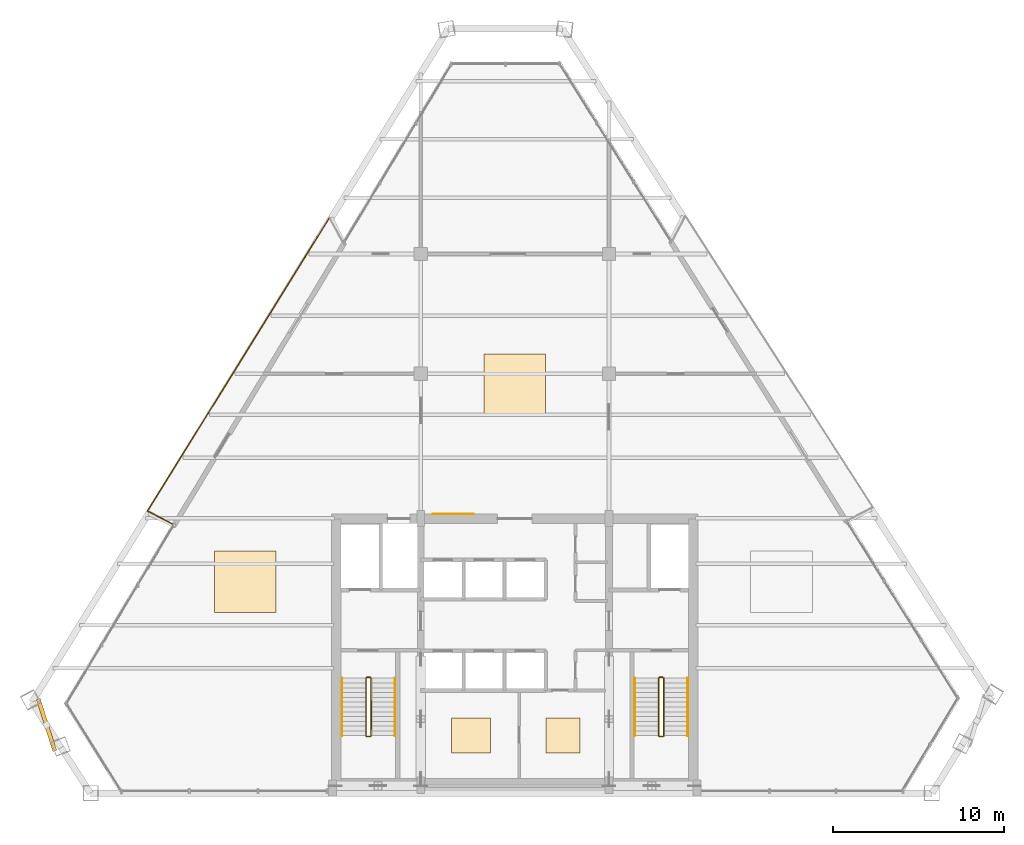
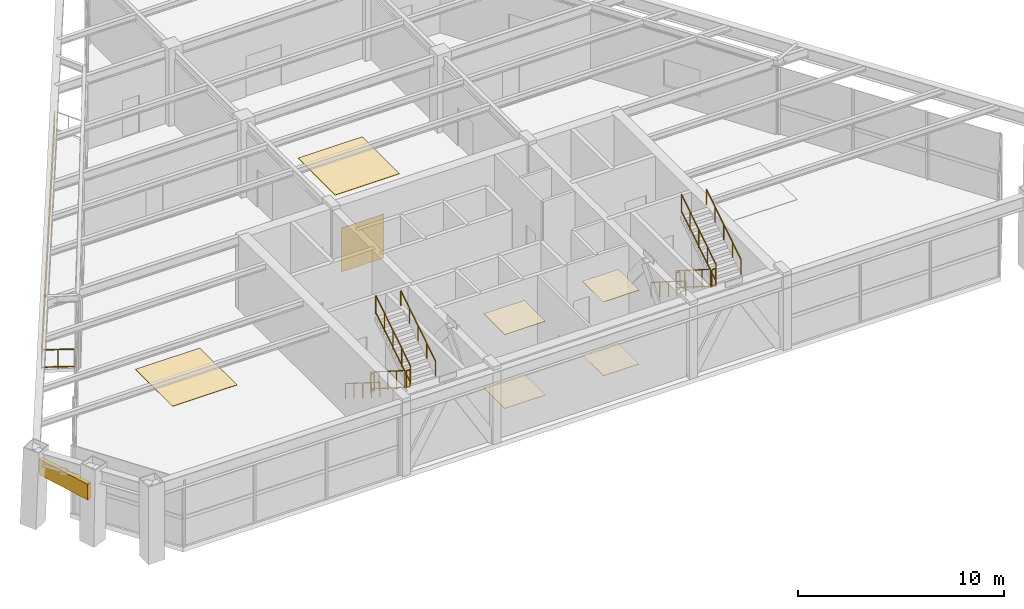
# One storey, part 10 of 11: 14 railings, 7 coverings, 1 shading device.
"""IFC4 building model written with IfcOpenShell, lengths in metres."""

from ifc_helpers import new_model, si_unit, direction, frame, origin, origin_2d, place, context, subcontext, project, spatial, rectangle, extrude, source, transform, mapped, material, layer, layer_set, type_object, type_shapes, element, save


model = new_model("IFC4")

# Units and contexts
model_context = context("Model", 3, precision=1e-05, world=origin(), true_north=direction((0.0, 1.0)))
body_context = subcontext(model_context, "Body", "Model", "MODEL_VIEW")
ifc_project = project(units=[si_unit("LENGTHUNIT", "METRE"), si_unit("AREAUNIT", "SQUARE_METRE"), si_unit("VOLUMEUNIT", "CUBIC_METRE"), si_unit("PLANEANGLEUNIT", "RADIAN"), si_unit("MASSUNIT", "GRAM", prefix="KILO")], contexts=[model_context])

# Site, building, storey
site_placement = place(None, origin())
site = spatial("IfcSite", under=ifc_project, at=site_placement, CompositionType="ELEMENT")
building_placement = place(site_placement, origin())
building = spatial("IfcBuilding", under=site, at=building_placement, Name="Varnakhor Terracotta Tower", CompositionType="ELEMENT")
storey_placement = place(building_placement, frame((0.0, 0.0, 215.39990234375)))
storey = spatial("IfcBuildingStorey", under=building, at=storey_placement, Name="L55", CompositionType="ELEMENT", Elevation=215.39990234375)

# Railings
ifc_material_1 = material(Name="Stainless Steel & Laminated Glass Guardrail", Category="steel")
railing_type_1 = type_object("IfcRailingType", Name="RLG-LOGGIA-GUARD-1150", PredefinedType="GUARDRAIL", material=ifc_material_1)
railing_1_placement = place(storey_placement, frame((-20.0224609375, 15.72802734375, 0.0)))
element("IfcRailing", 1, at=railing_1_placement, inside=storey, type_object=railing_type_1, Name="L55 W Loggia Glass Guard 1", PredefinedType="GUARDRAIL", context=body_context, shape_type="SweptSolid", body=[
    extrude(rectangle(XDim=0.048095703125, YDim=0.048095703125, at=origin_2d()), frame((0.0, 0.0, 1.1259765625), z_axis=(-0.886493924324, 0.462740231811, 0.0), x_axis=(-0.462740231811, -0.886493924324, 0.0)), (0.0, 0.0, 1.0), 1.628173828125),
    extrude(rectangle(XDim=0.048095703125, YDim=0.048095703125, at=origin_2d()), frame((0.0, 0.0, 0.10009765625), z_axis=(-0.886493924324, 0.462740231811, 0.0), x_axis=(-0.462740231811, -0.886493924324, 0.0)), (0.0, 0.0, 1.0), 1.628173828125),
    extrude(rectangle(XDim=0.0419921875, YDim=0.0419921875, at=origin_2d()), origin(), (0.0, 0.0, 1.0), 1.101806640625),
    extrude(rectangle(XDim=0.0419921875, YDim=0.0419921875, at=origin_2d()), frame((-0.7216796875, 0.376708984375, 0.0)), (0.0, 0.0, 1.0), 1.101806640625),
    extrude(rectangle(XDim=0.0419921875, YDim=0.0419921875, at=origin_2d()), frame((-1.443359375, 0.75341796875, 0.0)), (0.0, 0.0, 1.0), 1.101806640625),
])
railing_2_placement = place(storey_placement, frame((-21.4658203125, 16.4814453125, 0.0)))
element("IfcRailing", 2, at=railing_2_placement, inside=storey, type_object=railing_type_1, Name="L55 W Loggia Glass Guard 2", PredefinedType="GUARDRAIL", context=body_context, shape_type="SweptSolid", body=[
    extrude(rectangle(XDim=0.048095703125, YDim=0.048095703125, at=origin_2d()), frame((0.0, 0.0, 1.1259765625), z_axis=(0.527245019312, 0.849713298478, 0.0), x_axis=(-0.849713298478, 0.527245019312, 0.0)), (0.0, 0.0, 1.0), 20.165283203125),
    extrude(rectangle(XDim=0.048095703125, YDim=0.048095703125, at=origin_2d()), frame((0.0, 0.0, 0.10009765625), z_axis=(0.527245019312, 0.849713298478, 0.0), x_axis=(-0.849713298478, 0.527245019312, 0.0)), (0.0, 0.0, 1.0), 20.165283203125),
    extrude(rectangle(XDim=0.0419921875, YDim=0.0419921875, at=origin_2d()), origin(), (0.0, 0.0, 1.0), 1.101806640625),
    extrude(rectangle(XDim=0.0419921875, YDim=0.0419921875, at=origin_2d()), frame((0.708740234375, 1.142333984375, 0.0)), (0.0, 0.0, 1.0), 1.101806640625),
    extrude(rectangle(XDim=0.0419921875, YDim=0.0419921875, at=origin_2d()), frame((1.417724609375, 2.28466796875, 0.0)), (0.0, 0.0, 1.0), 1.101806640625),
    extrude(rectangle(XDim=0.0419921875, YDim=0.0419921875, at=origin_2d()), frame((2.12646484375, 3.427001953125, 0.0)), (0.0, 0.0, 1.0), 1.101806640625),
    extrude(rectangle(XDim=0.0419921875, YDim=0.0419921875, at=origin_2d()), frame((2.835205078125, 4.5693359375, 0.0)), (0.0, 0.0, 1.0), 1.101806640625),
    extrude(rectangle(XDim=0.0419921875, YDim=0.0419921875, at=origin_2d()), frame((3.5439453125, 5.711669921875, 0.0)), (0.0, 0.0, 1.0), 1.101806640625),
    extrude(rectangle(XDim=0.0419921875, YDim=0.0419921875, at=origin_2d()), frame((4.2529296875, 6.85400390625, 0.0)), (0.0, 0.0, 1.0), 1.101806640625),
    extrude(rectangle(XDim=0.0419921875, YDim=0.0419921875, at=origin_2d()), frame((4.961669921875, 7.996337890625, 0.0)), (0.0, 0.0, 1.0), 1.101806640625),
    extrude(rectangle(XDim=0.0419921875, YDim=0.0419921875, at=origin_2d()), frame((5.67041015625, 9.138427734375, 0.0)), (0.0, 0.0, 1.0), 1.101806640625),
    extrude(rectangle(XDim=0.0419921875, YDim=0.0419921875, at=origin_2d()), frame((6.379150390625, 10.28076171875, 0.0)), (0.0, 0.0, 1.0), 1.101806640625),
    extrude(rectangle(XDim=0.0419921875, YDim=0.0419921875, at=origin_2d()), frame((7.088134765625, 11.423095703125, 0.0)), (0.0, 0.0, 1.0), 1.101806640625),
    extrude(rectangle(XDim=0.0419921875, YDim=0.0419921875, at=origin_2d()), frame((7.796875, 12.5654296875, 0.0)), (0.0, 0.0, 1.0), 1.101806640625),
    extrude(rectangle(XDim=0.0419921875, YDim=0.0419921875, at=origin_2d()), frame((8.505615234375, 13.707763671875, 0.0)), (0.0, 0.0, 1.0), 1.101806640625),
    extrude(rectangle(XDim=0.0419921875, YDim=0.0419921875, at=origin_2d()), frame((9.21435546875, 14.85009765625, 0.0)), (0.0, 0.0, 1.0), 1.101806640625),
    extrude(rectangle(XDim=0.0419921875, YDim=0.0419921875, at=origin_2d()), frame((9.92333984375, 15.992431640625, 0.0)), (0.0, 0.0, 1.0), 1.101806640625),
    extrude(rectangle(XDim=0.0419921875, YDim=0.0419921875, at=origin_2d()), frame((10.632080078125, 17.134765625, 0.0)), (0.0, 0.0, 1.0), 1.101806640625),
])
ifc_material_2 = material(Name="Painted Steel Stairwell Guardrail", Category="steel")
railing_type_2 = type_object("IfcRailingType", Name="RLG-STAIR-GUARD-1120", PredefinedType="GUARDRAIL", material=ifc_material_2)
railing_3_placement = place(storey_placement, frame((-8.699951171875, 6.7099609375, 0.177001953125)))
element("IfcRailing", 3, at=railing_3_placement, inside=storey, type_object=railing_type_2, Name="L55 ST-1 stair guard 1", PredefinedType="GUARDRAIL", context=body_context, shape_type="SweptSolid", body=[
    extrude(rectangle(XDim=0.048095703125, YDim=0.048095703125, at=origin_2d()), frame((0.0, 0.0, 1.09619140625), z_axis=(0.0, -0.845372108799, 0.534177870812), x_axis=(1.0, 0.0, 0.0)), (0.0, 0.0, 1.0), 3.974365234375),
    extrude(rectangle(XDim=0.048095703125, YDim=0.048095703125, at=origin_2d()), frame((0.0, 0.0, 0.10009765625), z_axis=(0.0, -0.845372108799, 0.534177870812), x_axis=(1.0, 0.0, 0.0)), (0.0, 0.0, 1.0), 3.974365234375),
    extrude(rectangle(XDim=0.0419921875, YDim=0.0419921875, at=origin_2d()), origin(), (0.0, 0.0, 1.0), 1.072021484375),
    extrude(rectangle(XDim=0.0419921875, YDim=0.0419921875, at=origin_2d()), frame((0.0, -0.83984375, 0.53076171875)), (0.0, 0.0, 1.0), 1.072021484375),
    extrude(rectangle(XDim=0.0419921875, YDim=0.0419921875, at=origin_2d()), frame((0.0, -1.679931640625, 1.0615234375)), (0.0, 0.0, 1.0), 1.072021484375),
    extrude(rectangle(XDim=0.0419921875, YDim=0.0419921875, at=origin_2d()), frame((0.0, -2.52001953125, 1.59228515625)), (0.0, 0.0, 1.0), 1.072021484375),
    extrude(rectangle(XDim=0.0419921875, YDim=0.0419921875, at=origin_2d()), frame((0.0, -3.35986328125, 2.123046875)), (0.0, 0.0, 1.0), 1.072021484375),
])
railing_4_placement = place(storey_placement, frame((-8.64990234375, 3.300048828125, 2.300048828125)))
element("IfcRailing", 4, at=railing_4_placement, inside=storey, type_object=railing_type_2, Name="L55 ST-1 stair guard 2", PredefinedType="GUARDRAIL", context=body_context, shape_type="SweptSolid", body=[
    extrude(rectangle(XDim=0.048095703125, YDim=0.048095703125, at=origin_2d()), frame((0.0, 0.0, 1.09619140625), z_axis=(1.0, 0.0, 0.0), x_axis=(0.0, 1.0, 0.0)), (0.0, 0.0, 1.0), 0.199951171875),
    extrude(rectangle(XDim=0.048095703125, YDim=0.048095703125, at=origin_2d()), frame((0.0, 0.0, 0.10009765625), z_axis=(1.0, 0.0, 0.0), x_axis=(0.0, 1.0, 0.0)), (0.0, 0.0, 1.0), 0.199951171875),
    extrude(rectangle(XDim=0.0419921875, YDim=0.0419921875, at=origin_2d()), origin(), (0.0, 0.0, 1.0), 1.072021484375),
    extrude(rectangle(XDim=0.0419921875, YDim=0.0419921875, at=origin_2d()), frame((0.199951171875, 0.0, 0.0)), (0.0, 0.0, 1.0), 1.072021484375),
])
railing_5_placement = place(storey_placement, frame((-8.39990234375, 3.35009765625, 2.47705078125)))
element("IfcRailing", 5, at=railing_5_placement, inside=storey, type_object=railing_type_2, Name="L55 ST-1 stair guard 3", PredefinedType="GUARDRAIL", context=body_context, shape_type="SweptSolid", body=[
    extrude(rectangle(XDim=0.048095703125, YDim=0.048095703125, at=origin_2d()), frame((0.0, 0.0, 1.09619140625), z_axis=(0.0, 0.845372108799, 0.534177870812), x_axis=(-1.0, 0.0, 0.0)), (0.0, 0.0, 1.0), 3.974365234375),
    extrude(rectangle(XDim=0.048095703125, YDim=0.048095703125, at=origin_2d()), frame((0.0, 0.0, 0.10009765625), z_axis=(0.0, 0.845372108799, 0.534177870812), x_axis=(-1.0, 0.0, 0.0)), (0.0, 0.0, 1.0), 3.974365234375),
    extrude(rectangle(XDim=0.0419921875, YDim=0.0419921875, at=origin_2d()), origin(), (0.0, 0.0, 1.0), 1.072021484375),
    extrude(rectangle(XDim=0.0419921875, YDim=0.0419921875, at=origin_2d()), frame((0.0, 0.83984375, 0.53076171875)), (0.0, 0.0, 1.0), 1.072021484375),
    extrude(rectangle(XDim=0.0419921875, YDim=0.0419921875, at=origin_2d()), frame((0.0, 1.679931640625, 1.0615234375)), (0.0, 0.0, 1.0), 1.072021484375),
    extrude(rectangle(XDim=0.0419921875, YDim=0.0419921875, at=origin_2d()), frame((0.0, 2.52001953125, 1.59228515625)), (0.0, 0.0, 1.0), 1.072021484375),
    extrude(rectangle(XDim=0.0419921875, YDim=0.0419921875, at=origin_2d()), frame((0.0, 3.35986328125, 2.123046875)), (0.0, 0.0, 1.0), 1.072021484375),
])
railing_6_placement = place(storey_placement, frame((-8.64990234375, 6.760009765625, 0.0)))
element("IfcRailing", 6, at=railing_6_placement, inside=storey, type_object=railing_type_2, Name="L55 ST-1 stair guard 4", PredefinedType="GUARDRAIL", context=body_context, shape_type="SweptSolid", body=[
    extrude(rectangle(XDim=0.048095703125, YDim=0.048095703125, at=origin_2d()), frame((0.0, 0.0, 1.09619140625), z_axis=(1.0, 0.0, 0.0), x_axis=(0.0, 1.0, 0.0)), (0.0, 0.0, 1.0), 0.199951171875),
    extrude(rectangle(XDim=0.048095703125, YDim=0.048095703125, at=origin_2d()), frame((0.0, 0.0, 0.10009765625), z_axis=(1.0, 0.0, 0.0), x_axis=(0.0, 1.0, 0.0)), (0.0, 0.0, 1.0), 0.199951171875),
    extrude(rectangle(XDim=0.0419921875, YDim=0.0419921875, at=origin_2d()), origin(), (0.0, 0.0, 1.0), 1.072021484375),
    extrude(rectangle(XDim=0.0419921875, YDim=0.0419921875, at=origin_2d()), frame((0.199951171875, 0.0, 0.0)), (0.0, 0.0, 1.0), 1.072021484375),
])
railing_7_placement = place(storey_placement, frame((8.39990234375, 6.7099609375, 0.177001953125)))
element("IfcRailing", 7, at=railing_7_placement, inside=storey, type_object=railing_type_2, Name="L55 ST-2 stair guard 1", PredefinedType="GUARDRAIL", context=body_context, shape_type="SweptSolid", body=[
    extrude(rectangle(XDim=0.048095703125, YDim=0.048095703125, at=origin_2d()), frame((0.0, 0.0, 1.09619140625), z_axis=(0.0, -0.845372108799, 0.534177870812), x_axis=(1.0, 0.0, 0.0)), (0.0, 0.0, 1.0), 3.974365234375),
    extrude(rectangle(XDim=0.048095703125, YDim=0.048095703125, at=origin_2d()), frame((0.0, 0.0, 0.10009765625), z_axis=(0.0, -0.845372108799, 0.534177870812), x_axis=(1.0, 0.0, 0.0)), (0.0, 0.0, 1.0), 3.974365234375),
    extrude(rectangle(XDim=0.0419921875, YDim=0.0419921875, at=origin_2d()), origin(), (0.0, 0.0, 1.0), 1.072021484375),
    extrude(rectangle(XDim=0.0419921875, YDim=0.0419921875, at=origin_2d()), frame((0.0, -0.83984375, 0.53076171875)), (0.0, 0.0, 1.0), 1.072021484375),
    extrude(rectangle(XDim=0.0419921875, YDim=0.0419921875, at=origin_2d()), frame((0.0, -1.679931640625, 1.0615234375)), (0.0, 0.0, 1.0), 1.072021484375),
    extrude(rectangle(XDim=0.0419921875, YDim=0.0419921875, at=origin_2d()), frame((0.0, -2.52001953125, 1.59228515625)), (0.0, 0.0, 1.0), 1.072021484375),
    extrude(rectangle(XDim=0.0419921875, YDim=0.0419921875, at=origin_2d()), frame((0.0, -3.35986328125, 2.123046875)), (0.0, 0.0, 1.0), 1.072021484375),
])
railing_8_placement = place(storey_placement, frame((8.449951171875, 3.300048828125, 2.300048828125)))
element("IfcRailing", 8, at=railing_8_placement, inside=storey, type_object=railing_type_2, Name="L55 ST-2 stair guard 2", PredefinedType="GUARDRAIL", context=body_context, shape_type="SweptSolid", body=[
    extrude(rectangle(XDim=0.048095703125, YDim=0.048095703125, at=origin_2d()), frame((0.0, 0.0, 1.09619140625), z_axis=(1.0, 0.0, 0.0), x_axis=(0.0, 1.0, 0.0)), (0.0, 0.0, 1.0), 0.199951171875),
    extrude(rectangle(XDim=0.048095703125, YDim=0.048095703125, at=origin_2d()), frame((0.0, 0.0, 0.10009765625), z_axis=(1.0, 0.0, 0.0), x_axis=(0.0, 1.0, 0.0)), (0.0, 0.0, 1.0), 0.199951171875),
    extrude(rectangle(XDim=0.0419921875, YDim=0.0419921875, at=origin_2d()), origin(), (0.0, 0.0, 1.0), 1.072021484375),
    extrude(rectangle(XDim=0.0419921875, YDim=0.0419921875, at=origin_2d()), frame((0.199951171875, 0.0, 0.0)), (0.0, 0.0, 1.0), 1.072021484375),
])
railing_9_placement = place(storey_placement, frame((8.699951171875, 3.35009765625, 2.47705078125)))
element("IfcRailing", 9, at=railing_9_placement, inside=storey, type_object=railing_type_2, Name="L55 ST-2 stair guard 3", PredefinedType="GUARDRAIL", context=body_context, shape_type="SweptSolid", body=[
    extrude(rectangle(XDim=0.048095703125, YDim=0.048095703125, at=origin_2d()), frame((0.0, 0.0, 1.09619140625), z_axis=(0.0, 0.845372108799, 0.534177870812), x_axis=(-1.0, 0.0, 0.0)), (0.0, 0.0, 1.0), 3.974365234375),
    extrude(rectangle(XDim=0.048095703125, YDim=0.048095703125, at=origin_2d()), frame((0.0, 0.0, 0.10009765625), z_axis=(0.0, 0.845372108799, 0.534177870812), x_axis=(-1.0, 0.0, 0.0)), (0.0, 0.0, 1.0), 3.974365234375),
    extrude(rectangle(XDim=0.0419921875, YDim=0.0419921875, at=origin_2d()), origin(), (0.0, 0.0, 1.0), 1.072021484375),
    extrude(rectangle(XDim=0.0419921875, YDim=0.0419921875, at=origin_2d()), frame((0.0, 0.83984375, 0.53076171875)), (0.0, 0.0, 1.0), 1.072021484375),
    extrude(rectangle(XDim=0.0419921875, YDim=0.0419921875, at=origin_2d()), frame((0.0, 1.679931640625, 1.0615234375)), (0.0, 0.0, 1.0), 1.072021484375),
    extrude(rectangle(XDim=0.0419921875, YDim=0.0419921875, at=origin_2d()), frame((0.0, 2.52001953125, 1.59228515625)), (0.0, 0.0, 1.0), 1.072021484375),
    extrude(rectangle(XDim=0.0419921875, YDim=0.0419921875, at=origin_2d()), frame((0.0, 3.35986328125, 2.123046875)), (0.0, 0.0, 1.0), 1.072021484375),
])
railing_10_placement = place(storey_placement, frame((8.449951171875, 6.760009765625, 0.0)))
element("IfcRailing", 10, at=railing_10_placement, inside=storey, type_object=railing_type_2, Name="L55 ST-2 stair guard 4", PredefinedType="GUARDRAIL", context=body_context, shape_type="SweptSolid", body=[
    extrude(rectangle(XDim=0.048095703125, YDim=0.048095703125, at=origin_2d()), frame((0.0, 0.0, 1.09619140625), z_axis=(1.0, 0.0, 0.0), x_axis=(0.0, 1.0, 0.0)), (0.0, 0.0, 1.0), 0.199951171875),
    extrude(rectangle(XDim=0.048095703125, YDim=0.048095703125, at=origin_2d()), frame((0.0, 0.0, 0.10009765625), z_axis=(1.0, 0.0, 0.0), x_axis=(0.0, 1.0, 0.0)), (0.0, 0.0, 1.0), 0.199951171875),
    extrude(rectangle(XDim=0.0419921875, YDim=0.0419921875, at=origin_2d()), origin(), (0.0, 0.0, 1.0), 1.072021484375),
    extrude(rectangle(XDim=0.0419921875, YDim=0.0419921875, at=origin_2d()), frame((0.199951171875, 0.0, 0.0)), (0.0, 0.0, 1.0), 1.072021484375),
])
ifc_material_3 = material(Name="Brushed Stainless Steel Handrail", Category="steel")
railing_type_3 = type_object("IfcRailingType", Name="RLG-STAIR-HANDRAIL-920", PredefinedType="HANDRAIL", material=ifc_material_3)
railing_11_placement = place(storey_placement, frame((-10.10009765625, 6.7099609375, 0.177001953125)))
element("IfcRailing", 11, at=railing_11_placement, inside=storey, type_object=railing_type_3, Name="L55 ST-1 stair handrail 1", PredefinedType="HANDRAIL", context=body_context, shape_type="SweptSolid", body=[
    extrude(rectangle(XDim=0.048095703125, YDim=0.048095703125, at=origin_2d()), frame((0.0, 0.0, 0.89599609375), z_axis=(0.0, -0.845372108799, 0.534177870812), x_axis=(1.0, 0.0, 0.0)), (0.0, 0.0, 1.0), 3.974365234375),
    extrude(rectangle(XDim=0.0419921875, YDim=0.0419921875, at=origin_2d()), origin(), (0.0, 0.0, 1.0), 0.871826171875),
    extrude(rectangle(XDim=0.0419921875, YDim=0.0419921875, at=origin_2d()), frame((0.0, -0.83984375, 0.53076171875)), (0.0, 0.0, 1.0), 0.871826171875),
    extrude(rectangle(XDim=0.0419921875, YDim=0.0419921875, at=origin_2d()), frame((0.0, -1.679931640625, 1.0615234375)), (0.0, 0.0, 1.0), 0.871826171875),
    extrude(rectangle(XDim=0.0419921875, YDim=0.0419921875, at=origin_2d()), frame((0.0, -2.52001953125, 1.59228515625)), (0.0, 0.0, 1.0), 0.871826171875),
    extrude(rectangle(XDim=0.0419921875, YDim=0.0419921875, at=origin_2d()), frame((0.0, -3.35986328125, 2.123046875)), (0.0, 0.0, 1.0), 0.871826171875),
])
railing_12_placement = place(storey_placement, frame((-7.0, 3.35009765625, 2.47705078125)))
element("IfcRailing", 12, at=railing_12_placement, inside=storey, type_object=railing_type_3, Name="L55 ST-1 stair handrail 2", PredefinedType="HANDRAIL", context=body_context, shape_type="SweptSolid", body=[
    extrude(rectangle(XDim=0.048095703125, YDim=0.048095703125, at=origin_2d()), frame((0.0, 0.0, 0.89599609375), z_axis=(0.0, 0.845372108799, 0.534177870812), x_axis=(-1.0, 0.0, 0.0)), (0.0, 0.0, 1.0), 3.974365234375),
    extrude(rectangle(XDim=0.0419921875, YDim=0.0419921875, at=origin_2d()), origin(), (0.0, 0.0, 1.0), 0.871826171875),
    extrude(rectangle(XDim=0.0419921875, YDim=0.0419921875, at=origin_2d()), frame((0.0, 0.83984375, 0.53076171875)), (0.0, 0.0, 1.0), 0.871826171875),
    extrude(rectangle(XDim=0.0419921875, YDim=0.0419921875, at=origin_2d()), frame((0.0, 1.679931640625, 1.0615234375)), (0.0, 0.0, 1.0), 0.871826171875),
    extrude(rectangle(XDim=0.0419921875, YDim=0.0419921875, at=origin_2d()), frame((0.0, 2.52001953125, 1.59228515625)), (0.0, 0.0, 1.0), 0.871826171875),
    extrude(rectangle(XDim=0.0419921875, YDim=0.0419921875, at=origin_2d()), frame((0.0, 3.35986328125, 2.123046875)), (0.0, 0.0, 1.0), 0.871826171875),
])
railing_13_placement = place(storey_placement, frame((7.0, 6.7099609375, 0.177001953125)))
element("IfcRailing", 13, at=railing_13_placement, inside=storey, type_object=railing_type_3, Name="L55 ST-2 stair handrail 1", PredefinedType="HANDRAIL", context=body_context, shape_type="SweptSolid", body=[
    extrude(rectangle(XDim=0.048095703125, YDim=0.048095703125, at=origin_2d()), frame((0.0, 0.0, 0.89599609375), z_axis=(0.0, -0.845372108799, 0.534177870812), x_axis=(1.0, 0.0, 0.0)), (0.0, 0.0, 1.0), 3.974365234375),
    extrude(rectangle(XDim=0.0419921875, YDim=0.0419921875, at=origin_2d()), origin(), (0.0, 0.0, 1.0), 0.871826171875),
    extrude(rectangle(XDim=0.0419921875, YDim=0.0419921875, at=origin_2d()), frame((0.0, -0.83984375, 0.53076171875)), (0.0, 0.0, 1.0), 0.871826171875),
    extrude(rectangle(XDim=0.0419921875, YDim=0.0419921875, at=origin_2d()), frame((0.0, -1.679931640625, 1.0615234375)), (0.0, 0.0, 1.0), 0.871826171875),
    extrude(rectangle(XDim=0.0419921875, YDim=0.0419921875, at=origin_2d()), frame((0.0, -2.52001953125, 1.59228515625)), (0.0, 0.0, 1.0), 0.871826171875),
    extrude(rectangle(XDim=0.0419921875, YDim=0.0419921875, at=origin_2d()), frame((0.0, -3.35986328125, 2.123046875)), (0.0, 0.0, 1.0), 0.871826171875),
])
railing_14_placement = place(storey_placement, frame((10.10009765625, 3.35009765625, 2.47705078125)))
element("IfcRailing", 14, at=railing_14_placement, inside=storey, type_object=railing_type_3, Name="L55 ST-2 stair handrail 2", PredefinedType="HANDRAIL", context=body_context, shape_type="SweptSolid", body=[
    extrude(rectangle(XDim=0.048095703125, YDim=0.048095703125, at=origin_2d()), frame((0.0, 0.0, 0.89599609375), z_axis=(0.0, 0.845372108799, 0.534177870812), x_axis=(-1.0, 0.0, 0.0)), (0.0, 0.0, 1.0), 3.974365234375),
    extrude(rectangle(XDim=0.0419921875, YDim=0.0419921875, at=origin_2d()), origin(), (0.0, 0.0, 1.0), 0.871826171875),
    extrude(rectangle(XDim=0.0419921875, YDim=0.0419921875, at=origin_2d()), frame((0.0, 0.83984375, 0.53076171875)), (0.0, 0.0, 1.0), 0.871826171875),
    extrude(rectangle(XDim=0.0419921875, YDim=0.0419921875, at=origin_2d()), frame((0.0, 1.679931640625, 1.0615234375)), (0.0, 0.0, 1.0), 0.871826171875),
    extrude(rectangle(XDim=0.0419921875, YDim=0.0419921875, at=origin_2d()), frame((0.0, 2.52001953125, 1.59228515625)), (0.0, 0.0, 1.0), 0.871826171875),
    extrude(rectangle(XDim=0.0419921875, YDim=0.0419921875, at=origin_2d()), frame((0.0, 3.35986328125, 2.123046875)), (0.0, 0.0, 1.0), 0.871826171875),
])

# Shading device
ifc_material_4 = material(Name="Extruded Architectural Terracotta Screen", Category="masonry")
shading_device_type = type_object("IfcShadingDeviceType", Name="TERRACOTTA SOLAR SCREEN W", PredefinedType="USERDEFINED", material=ifc_material_4)
shared_shape_1 = source(origin(), body_context, "Body", "SweptSolid", [
    extrude(rectangle(XDim=3.199951171875, YDim=0.239990234375, at=origin_2d()), origin(), (0.0, 0.0, 1.0), 0.919921875),
])
type_shapes(shading_device_type, [shared_shape_1])
shading_device_placement = place(storey_placement, frame((-27.367431640625, 3.97607421875, 2.712158203125), z_axis=(0.0, 0.0, 1.0), x_axis=(0.304714693285, -0.952443675865, 0.0)))
element("IfcShadingDevice", 15, at=shading_device_placement, inside=storey, type_object=shading_device_type, Name="L55 W Terracotta Solar Screen", ObjectType="SCREEN", PredefinedType="USERDEFINED", context=body_context, shape_type="MappedRepresentation", body=[
    mapped(shared_shape_1, transform((0.0, 0.0, 0.0), scale=1.0)),
])

# Coverings
ifc_material_5 = material(Name="Extruded Architectural Terracotta Cladding", Category="masonry")
ifc_layer_1 = layer(ifc_material_5, 0.044921875, Name="Extruded Architectural Terracotta Cladding")
ifc_layer_set_1 = layer_set([ifc_layer_1], Name="Extruded Architectural Terracotta Cladding")
covering_type_1 = type_object("IfcCoveringType", Name="COV-CLAD-TERRACOTTA", PredefinedType="CLADDING", material=ifc_layer_set_1)
shared_shape_2 = source(origin(), body_context, "Body", "SweptSolid", [
    extrude(rectangle(XDim=2.39990234375, YDim=0.030029296875, at=origin_2d()), origin(), (0.0, 0.0, 1.0), 2.60009765625),
])
type_shapes(covering_type_1, [shared_shape_2])
covering_1_placement = place(storey_placement, frame((-3.60009765625, 16.31201171875, 0.0), z_axis=(0.0, 0.0, 1.0), x_axis=(1.0, 0.0, 0.0)))
element("IfcCovering", 16, at=covering_1_placement, inside=storey, type_object=covering_type_1, Name="L55 Core Lobby Limestone Cladding", PredefinedType="CLADDING", context=body_context, shape_type="MappedRepresentation", body=[
    mapped(shared_shape_2, transform((0.0, 0.0, 0.0), scale=1.0)),
])
ifc_material_6 = material(Name="Honed Riyadh Limestone Flooring", Category="masonry")
ifc_layer_2 = layer(ifc_material_6, 0.030029296875, Name="Honed Riyadh Limestone Flooring")
ifc_layer_set_2 = layer_set([ifc_layer_2], Name="Honed Riyadh Limestone Flooring")
covering_type_2 = type_object("IfcCoveringType", Name="COV-FLOOR-LIMESTONE", PredefinedType="FLOORING", material=ifc_layer_set_2)
shared_shape_3 = source(origin(), body_context, "Body", "SweptSolid", [
    extrude(rectangle(XDim=3.60009765625, YDim=3.60009765625, at=origin_2d()), origin(), (0.0, 0.0, 1.0), 0.02001953125),
])
for number, where, z_axis, x_axis, name in (
    (17, (-15.7470703125, 12.35205078125, 0.0), (0.0, 0.0, 1.0), (1.0, 0.0, 0.0), "L55 Honed Stone Flooring 4"),
    (18, (0.0, 23.865966796875, 0.0), (0.0, 0.0, 1.0), (1.0, 0.0, 0.0), "L55 Honed Stone Flooring 5"),
):
    element("IfcCovering", number, at=place(storey_placement, frame(where, z_axis=z_axis, x_axis=x_axis)), inside=storey, type_object=covering_type_2, Name=name, PredefinedType="FLOORING", context=body_context, shape_type="MappedRepresentation", body=[
        mapped(shared_shape_3, transform((0.0, 0.0, 0.0), scale=1.0)),
    ])
shared_shape_4 = source(origin(), body_context, "Body", "SweptSolid", [
    extrude(rectangle(XDim=2.281982421875, YDim=2.041015625, at=origin_2d()), origin(), (0.0, 0.0, 1.0), 0.02001953125),
])
covering_2_placement = place(storey_placement, frame((-2.56494140625, 3.35498046875, 0.0), z_axis=(0.0, 0.0, 1.0), x_axis=(1.0, 0.0, 0.0)))
element("IfcCovering", 19, at=covering_2_placement, inside=storey, type_object=covering_type_2, Name="L55 Honed Stone Flooring 1", PredefinedType="FLOORING", context=body_context, shape_type="MappedRepresentation", body=[
    mapped(shared_shape_4, transform((0.0, 0.0, 0.0), scale=1.0)),
])
ifc_material_7 = material(Name="Perforated Acoustic Mineral-Fibre Ceiling", Category="gypsum")
ifc_layer_3 = layer(ifc_material_7, 0.02490234375, Name="Perforated Acoustic Mineral-Fibre Ceiling")
ifc_layer_set_3 = layer_set([ifc_layer_3], Name="Perforated Acoustic Mineral-Fibre Ceiling")
covering_type_3 = type_object("IfcCoveringType", Name="COV-CEILING-ACOUSTIC", PredefinedType="CEILING", material=ifc_layer_set_3)
shared_shape_5 = source(origin(), body_context, "Body", "SweptSolid", [
    extrude(rectangle(XDim=2.281982421875, YDim=2.041015625, at=origin_2d()), origin(), (0.0, 0.0, 1.0), 0.02392578125),
])
covering_3_placement = place(storey_placement, frame((-2.56494140625, 3.35498046875, 4.3662109375), z_axis=(0.0, 0.0, 1.0), x_axis=(1.0, 0.0, 0.0)))
element("IfcCovering", 20, at=covering_3_placement, inside=storey, type_object=covering_type_3, Name="L55 Acoustic Ceiling Panel 1", PredefinedType="CEILING", context=body_context, shape_type="MappedRepresentation", body=[
    mapped(shared_shape_5, transform((0.0, 0.0, 0.0), scale=1.0)),
])
shared_shape_6 = source(origin(), body_context, "Body", "SweptSolid", [
    extrude(rectangle(XDim=2.007080078125, YDim=2.041015625, at=origin_2d()), origin(), (0.0, 0.0, 1.0), 0.02001953125),
])
covering_4_placement = place(storey_placement, frame((2.81494140625, 3.35498046875, 0.0), z_axis=(0.0, 0.0, 1.0), x_axis=(1.0, 0.0, 0.0)))
element("IfcCovering", 21, at=covering_4_placement, inside=storey, type_object=covering_type_2, Name="L55 Honed Stone Flooring 2", PredefinedType="FLOORING", context=body_context, shape_type="MappedRepresentation", body=[
    mapped(shared_shape_6, transform((0.0, 0.0, 0.0), scale=1.0)),
])
shared_shape_7 = source(origin(), body_context, "Body", "SweptSolid", [
    extrude(rectangle(XDim=2.007080078125, YDim=2.041015625, at=origin_2d()), origin(), (0.0, 0.0, 1.0), 0.02392578125),
])
covering_5_placement = place(storey_placement, frame((2.81494140625, 3.35498046875, 4.3662109375), z_axis=(0.0, 0.0, 1.0), x_axis=(1.0, 0.0, 0.0)))
element("IfcCovering", 22, at=covering_5_placement, inside=storey, type_object=covering_type_3, Name="L55 Acoustic Ceiling Panel 2", PredefinedType="CEILING", context=body_context, shape_type="MappedRepresentation", body=[
    mapped(shared_shape_7, transform((0.0, 0.0, 0.0), scale=1.0)),
])

save(model, "model.ifc")
